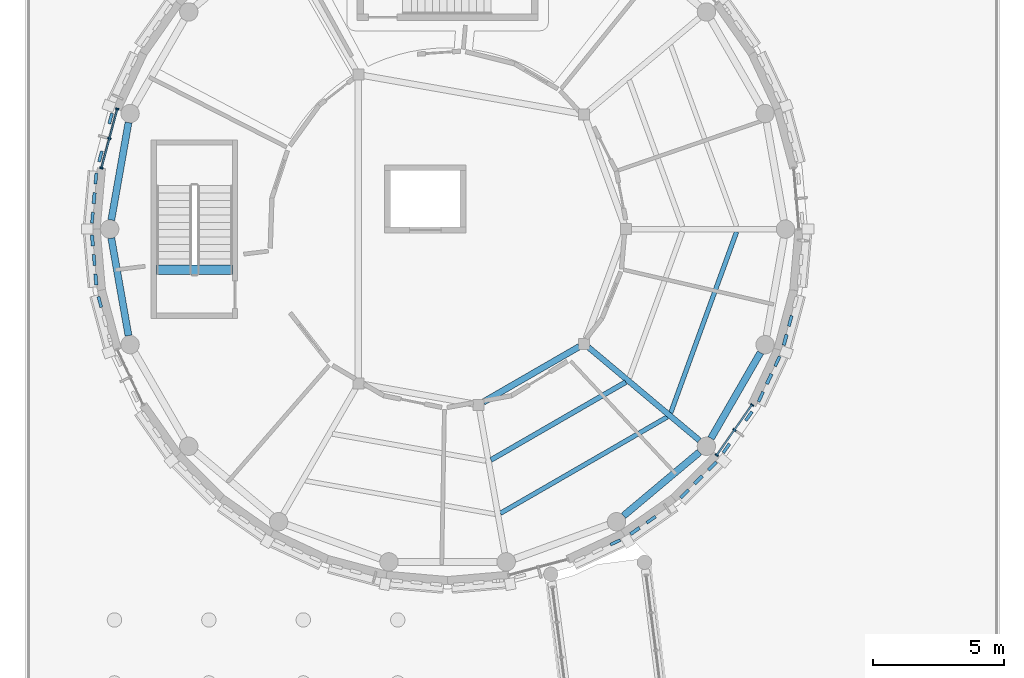
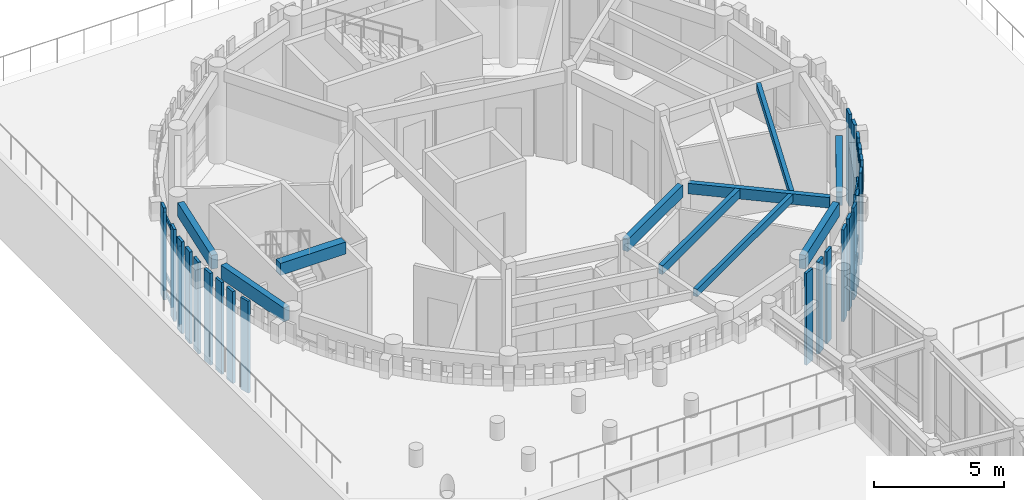
# One storey, part 21 of 94: 34 members, 10 beams, 2 elements without a shape of their own.
"""IFC4 building model written with IfcOpenShell, lengths in metres."""

from ifc_helpers import new_model, si_unit, direction, frame, origin, origin_2d, place, context, subcontext, project, spatial, rectangle, extrude, material, layer, layer_set, material_profile, profile_set, type_object, element, aggregate, save


model = new_model("IFC4")

# Units and contexts
model_context = context("Model", 3, precision=1e-05, world=origin(), true_north=direction((0.0, 1.0)))
body_context = subcontext(model_context, "Body", "Model", "MODEL_VIEW")
ifc_project = project(units=[si_unit("LENGTHUNIT", "METRE"), si_unit("AREAUNIT", "SQUARE_METRE"), si_unit("VOLUMEUNIT", "CUBIC_METRE"), si_unit("PLANEANGLEUNIT", "RADIAN"), si_unit("MASSUNIT", "GRAM", prefix="KILO")], contexts=[model_context])

# Site, building, storey
site_placement = place(None, origin())
site = spatial("IfcSite", under=ifc_project, at=site_placement, CompositionType="ELEMENT")
building_placement = place(site_placement, origin())
building = spatial("IfcBuilding", under=site, at=building_placement, Name="Aldenvaro Health Centre", CompositionType="ELEMENT")
storey_placement = place(building_placement, origin())
storey = spatial("IfcBuildingStorey", under=building, at=storey_placement, Name="L00", CompositionType="ELEMENT", Elevation=0.0)

# Beams
ifc_material_1 = material(Name="Glulam GL28h", Category="wood")
ifc_material_profile_1 = material_profile(ifc_material_1, rectangle(XDim=0.175048828125, YDim=0.35009765625, at=origin_2d()), Name="GL 175x350", Category="wood")
ifc_profile_set_1 = profile_set([ifc_material_profile_1], Name="Glulam GL28h")
beam_type_1 = type_object("IfcBeamType", Name="BM-GL-350", PredefinedType="JOIST", material=ifc_profile_set_1)
beam_1_placement = place(storey_placement, frame((20.512939453125, 88.666015625, 4.1298828125), z_axis=(0.866036760986, 0.499980328234, 0.0), x_axis=(-0.499980328234, 0.866036760986, 0.0)))
element("IfcBeam", 1, at=beam_1_placement, inside=storey, type_object=beam_type_1, Name="D4 L00 secondary joist 05.2", PredefinedType="JOIST", context=body_context, shape_type="SweptSolid", body=[
    extrude(rectangle(XDim=0.175048828125, YDim=0.35009765625, at=origin_2d()), origin(), (0.0, 0.0, 1.0), 7.348388671875),
])
beam_2_placement = place(storey_placement, frame((27.006103515625, 92.493896484375, 4.1298828125), z_axis=(0.341985813082, 0.939705115263, 0.0), x_axis=(-0.939705115263, 0.341985813082, 0.0)))
element("IfcBeam", 2, at=beam_2_placement, inside=storey, type_object=beam_type_1, Name="D4 L00 secondary joist 06.2", PredefinedType="JOIST", context=body_context, shape_type="SweptSolid", body=[
    extrude(rectangle(XDim=0.175048828125, YDim=0.35009765625, at=origin_2d()), origin(), (0.0, 0.0, 1.0), 7.34814453125),
])
ifc_material_profile_2 = material_profile(ifc_material_1, rectangle(XDim=0.18994140625, YDim=0.41796875, at=origin_2d()), Name="GL 190x418", Category="wood")
ifc_profile_set_2 = profile_set([ifc_material_profile_2], Name="Glulam GL28h")
beam_type_2 = type_object("IfcBeamType", Name="BM-GL-418", PredefinedType="JOIST", material=ifc_profile_set_2)
beam_3_placement = place(storey_placement, frame((20.154052734375, 90.700927734375, 4.095947265625), z_axis=(0.866019093774, 0.5000109291, 0.0), x_axis=(-0.5000109291, 0.866019093774, 0.0)))
element("IfcBeam", 3, at=beam_3_placement, inside=storey, type_object=beam_type_2, Name="D4 L00 secondary joist 05.1", PredefinedType="JOIST", context=body_context, shape_type="SweptSolid", body=[
    extrude(rectangle(XDim=0.18994140625, YDim=0.41796875, at=origin_2d()), origin(), (0.0, 0.0, 1.0), 5.933837890625),
])
ifc_material_profile_3 = material_profile(ifc_material_1, rectangle(XDim=0.215087890625, YDim=0.493896484375, at=origin_2d()), Name="GL 215x494", Category="wood")
ifc_profile_set_3 = profile_set([ifc_material_profile_3], Name="Glulam GL28h")
beam_type_3 = type_object("IfcBeamType", Name="BM-GL-494", PredefinedType="BEAM", material=ifc_profile_set_3)
beam_4_placement = place(storey_placement, frame((23.8701171875, 94.993896484375, 4.05810546875), z_axis=(0.766107242382, -0.642712761014, 0.0), x_axis=(0.642712761014, 0.766107242382, 0.0)))
element("IfcBeam", 4, at=beam_4_placement, inside=storey, type_object=beam_type_3, Name="D4 L00 radial beam 06", PredefinedType="BEAM", context=body_context, shape_type="SweptSolid", body=[
    extrude(rectangle(XDim=0.215087890625, YDim=0.493896484375, at=origin_2d()), origin(), (0.0, 0.0, 1.0), 5.52001953125),
])
ifc_material_profile_4 = material_profile(ifc_material_1, rectangle(XDim=0.239990234375, YDim=0.570068359375, at=origin_2d()), Name="GL 240x570", Category="wood")
ifc_profile_set_4 = profile_set([ifc_material_profile_4], Name="Glulam GL28h")
beam_type_4 = type_object("IfcBeamType", Name="BM-GL-570", PredefinedType="BEAM", material=ifc_profile_set_4)
beam_5_placement = place(storey_placement, frame((19.863037109375, 92.907958984375, 4.02001953125), z_axis=(0.865972251501, 0.500092051157, 0.0), x_axis=(-0.500092051157, 0.865972251501, 0.0)))
element("IfcBeam", 5, at=beam_5_placement, inside=storey, type_object=beam_type_4, Name="D4 L00 inner ring beam 05", PredefinedType="BEAM", context=body_context, shape_type="SweptSolid", body=[
    extrude(rectangle(XDim=0.239990234375, YDim=0.570068359375, at=origin_2d()), origin(), (0.0, 0.0, 1.0), 4.231201171875),
])
ifc_material_profile_5 = material_profile(ifc_material_1, rectangle(XDim=0.264892578125, YDim=0.64599609375, at=origin_2d()), Name="GL 265x646", Category="wood")
ifc_profile_set_5 = profile_set([ifc_material_profile_5], Name="Glulam GL28h")
beam_type_5 = type_object("IfcBeamType", Name="BM-GL-646", PredefinedType="SPANDREL", material=ifc_profile_set_5)
for number, where, z_axis, x_axis, name in (
    (6, (6.3359375, 103.56005859375, 3.98193359375), (-0.173637653927, -0.984809608574, 0.0), (0.984809608574, -0.173637653927, 0.0), "D4 L00 perimeter spandrel 09"),
    (7, (5.680908203125, 99.155029296875, 3.98193359375), (0.173637653927, -0.984809608574, 0.0), (0.984809608574, 0.173637653927, 0.0), "D4 L00 perimeter spandrel 10"),
):
    element("IfcBeam", number, at=place(storey_placement, frame(where, z_axis=z_axis, x_axis=x_axis)), inside=storey, type_object=beam_type_5, Name=name, PredefinedType="SPANDREL", context=body_context, shape_type="SweptSolid", body=[
        extrude(rectangle(XDim=0.264892578125, YDim=0.64599609375, at=origin_2d()), origin(), (0.0, 0.0, 1.0), 3.7724609375),
    ])
beam_6_placement = place(storey_placement, frame((25.2080078125, 88.571044921875, 3.98193359375), z_axis=(0.766159686965, 0.64265024241, 0.0), x_axis=(-0.64265024241, 0.766159686965, 0.0)))
element("IfcBeam", 8, at=beam_6_placement, inside=storey, type_object=beam_type_5, Name="D4 L00 perimeter spandrel 16", PredefinedType="SPANDREL", context=body_context, shape_type="SweptSolid", body=[
    extrude(rectangle(XDim=0.264892578125, YDim=0.64599609375, at=origin_2d()), origin(), (0.0, 0.0, 1.0), 3.7734375),
])
beam_7_placement = place(storey_placement, frame((28.5419921875, 91.52392578125, 3.98193359375), z_axis=(0.499834477554, 0.866120947125, 0.0), x_axis=(-0.866120947125, 0.499834477554, 0.0)))
element("IfcBeam", 9, at=beam_7_placement, inside=storey, type_object=beam_type_5, Name="D4 L00 perimeter spandrel 17", PredefinedType="SPANDREL", context=body_context, shape_type="SweptSolid", body=[
    extrude(rectangle(XDim=0.264892578125, YDim=0.64599609375, at=origin_2d()), origin(), (0.0, 0.0, 1.0), 3.773193359375),
])
ifc_material_2 = material(Name="Concrete f'c 40 MPa", Category="concrete")
ifc_material_profile_6 = material_profile(ifc_material_2, rectangle(XDim=0.35009765625, YDim=0.56005859375, at=origin_2d()), Name="RC 350x560", Category="concrete")
ifc_profile_set_6 = profile_set([ifc_material_profile_6], Name="Concrete f'c 40 MPa")
beam_type_6 = type_object("IfcBeamType", Name="BM-RC-560", PredefinedType="JOIST", material=ifc_profile_set_6)
beam_8_placement = place(storey_placement, frame((10.300048828125, 97.949951171875, 4.27001953125), z_axis=(-1.0, 0.0, 0.0), x_axis=(0.0, -1.0, 0.0)))
element("IfcBeam", 10, at=beam_8_placement, inside=storey, type_object=beam_type_6, Name="ST-08 L01 stair landing trimmer beam", PredefinedType="JOIST", context=body_context, shape_type="SweptSolid", body=[
    extrude(rectangle(XDim=0.35009765625, YDim=0.56005859375, at=origin_2d()), origin(), (0.0, 0.0, 1.0), 2.900146484375),
])

# Curtain wall, members
ifc_material_3 = material(Name="Anodised Aluminium 6063-T6", Category="aluminium")
ifc_layer = layer(ifc_material_3, 0.195068359375, Name="Anodised Aluminium 6063-T6", Category="aluminium")
ifc_layer_set = layer_set([ifc_layer], Name="Anodised Aluminium 6063-T6")
curtain_wall_type = type_object("IfcCurtainWallType", Name="CW-CLN-02", PredefinedType="NOTDEFINED", material=ifc_layer_set)
curtain_wall_1_placement = place(storey_placement, origin())
curtain_wall_1 = element("IfcCurtainWall", 11, at=curtain_wall_1_placement, inside=storey, type_object=curtain_wall_type, Name="D4 L00 curtain wall bay 04", PredefinedType="NOTDEFINED")
ifc_material_profile_7 = material_profile(ifc_material_3, rectangle(XDim=0.06005859375, YDim=0.135009765625, at=origin_2d()), Name="ALU 60x135", Category="aluminium")
ifc_profile_set_7 = profile_set([ifc_material_profile_7], Name="Anodised Aluminium 6063-T6")
member_type_1 = type_object("IfcMemberType", Name="CWM-150", PredefinedType="MULLION", material=ifc_profile_set_7)
member_1_placement = place(storey_placement, frame((30.10498046875, 92.800048828125, 0.0), z_axis=(0.0, 0.0, 1.0), x_axis=(-0.573720929857, -0.819050849853, 0.0)))
member_1 = element("IfcMember", 12, at=member_1_placement, type_object=member_type_1, Name="D4 L00 curtain wall bay 04 mullion 1", PredefinedType="MULLION", context=body_context, shape_type="SweptSolid", body=[
    extrude(rectangle(XDim=0.06005859375, YDim=0.135009765625, at=origin_2d()), origin(), (0.0, 0.0, 1.0), 3.658935546875),
])
member_2_placement = place(storey_placement, frame((29.43505859375, 91.843994140625, 0.0), z_axis=(0.0, 0.0, 1.0), x_axis=(-0.573720929857, -0.819050849853, 0.0)))
member_2 = element("IfcMember", 13, at=member_2_placement, type_object=member_type_1, Name="D4 L00 curtain wall bay 04 mullion 2", PredefinedType="MULLION", context=body_context, shape_type="SweptSolid", body=[
    extrude(rectangle(XDim=0.06005859375, YDim=0.135009765625, at=origin_2d()), origin(), (0.0, 0.0, 1.0), 3.658935546875),
])
member_3_placement = place(storey_placement, frame((28.764892578125, 90.886962890625, 0.0), z_axis=(0.0, 0.0, 1.0), x_axis=(-0.573720929857, -0.819050849853, 0.0)))
member_3 = element("IfcMember", 14, at=member_3_placement, type_object=member_type_1, Name="D4 L00 curtain wall bay 04 mullion 3", PredefinedType="MULLION", context=body_context, shape_type="SweptSolid", body=[
    extrude(rectangle(XDim=0.06005859375, YDim=0.135009765625, at=origin_2d()), origin(), (0.0, 0.0, 1.0), 3.658935546875),
])

curtain_wall_2_placement = place(storey_placement, origin())
curtain_wall_2 = element("IfcCurtainWall", 15, at=curtain_wall_2_placement, inside=storey, type_object=curtain_wall_type, Name="D4 L00 curtain wall bay 20", PredefinedType="NOTDEFINED")
member_4_placement = place(storey_placement, frame((5.303955078125, 101.826904296875, 0.0), z_axis=(0.0, 0.0, 1.0), x_axis=(0.258621935517, 0.965978620089, 0.0)))
member_4 = element("IfcMember", 16, at=member_4_placement, type_object=member_type_1, Name="D4 L00 curtain wall bay 20 mullion 1", PredefinedType="MULLION", context=body_context, shape_type="SweptSolid", body=[
    extrude(rectangle(XDim=0.06005859375, YDim=0.135009765625, at=origin_2d()), origin(), (0.0, 0.0, 1.0), 3.658935546875),
])
member_5_placement = place(storey_placement, frame((5.60595703125, 102.955078125, 0.0), z_axis=(0.0, 0.0, 1.0), x_axis=(0.258621935517, 0.965978620089, 0.0)))
member_5 = element("IfcMember", 17, at=member_5_placement, type_object=member_type_1, Name="D4 L00 curtain wall bay 20 mullion 2", PredefinedType="MULLION", context=body_context, shape_type="SweptSolid", body=[
    extrude(rectangle(XDim=0.06005859375, YDim=0.135009765625, at=origin_2d()), origin(), (0.0, 0.0, 1.0), 3.658935546875),
])
member_6_placement = place(storey_placement, frame((5.907958984375, 104.0830078125, 0.0), z_axis=(0.0, 0.0, 1.0), x_axis=(0.258621935517, 0.965978620089, 0.0)))
member_6 = element("IfcMember", 18, at=member_6_placement, type_object=member_type_1, Name="D4 L00 curtain wall bay 20 mullion 3", PredefinedType="MULLION", context=body_context, shape_type="SweptSolid", body=[
    extrude(rectangle(XDim=0.06005859375, YDim=0.135009765625, at=origin_2d()), origin(), (0.0, 0.0, 1.0), 3.658935546875),
])

# Member
ifc_material_profile_8 = material_profile(ifc_material_3, rectangle(XDim=0.06494140625, YDim=0.179931640625, at=origin_2d()), Name="ALU 65x180", Category="aluminium")
ifc_profile_set_8 = profile_set([ifc_material_profile_8], Name="Anodised Aluminium 6063-T6")
member_type_2 = type_object("IfcMemberType", Name="CWT-150", PredefinedType="USERDEFINED", material=ifc_profile_set_8)
member_7_placement = place(storey_placement, frame((30.10498046875, 92.800048828125, 0.06005859375), z_axis=(-0.573728883722, -0.819045278347, 0.0), x_axis=(0.819045278347, -0.573728883722, 0.0)))
member_7 = element("IfcMember", 19, at=member_7_placement, type_object=member_type_2, Name="D4 L00 curtain wall bay 04 transom 1", ObjectType="TRANSOM", PredefinedType="USERDEFINED", context=body_context, shape_type="SweptSolid", body=[
    extrude(rectangle(XDim=0.06494140625, YDim=0.179931640625, at=origin_2d()), origin(), (0.0, 0.0, 1.0), 2.335693359375),
])

member_8_placement = place(storey_placement, frame((30.10498046875, 92.800048828125, 0.89990234375), z_axis=(-0.573728883722, -0.819045278347, 0.0), x_axis=(0.819045278347, -0.573728883722, 0.0)))
member_8 = element("IfcMember", 20, at=member_8_placement, type_object=member_type_2, Name="D4 L00 curtain wall bay 04 transom 2", ObjectType="TRANSOM", PredefinedType="USERDEFINED", context=body_context, shape_type="SweptSolid", body=[
    extrude(rectangle(XDim=0.06494140625, YDim=0.179931640625, at=origin_2d()), origin(), (0.0, 0.0, 1.0), 2.335693359375),
])

member_9_placement = place(storey_placement, frame((30.10498046875, 92.800048828125, 3.59912109375), z_axis=(-0.573728883722, -0.819045278347, 0.0), x_axis=(0.819045278347, -0.573728883722, 0.0)))
member_9 = element("IfcMember", 21, at=member_9_placement, type_object=member_type_2, Name="D4 L00 curtain wall bay 04 transom 3", ObjectType="TRANSOM", PredefinedType="USERDEFINED", context=body_context, shape_type="SweptSolid", body=[
    extrude(rectangle(XDim=0.06494140625, YDim=0.179931640625, at=origin_2d()), origin(), (0.0, 0.0, 1.0), 2.335693359375),
])

aggregate(curtain_wall_1, [member_1, member_2, member_3, member_7, member_8, member_9])

member_10_placement = place(storey_placement, frame((5.303955078125, 101.826904296875, 0.06005859375), z_axis=(0.258612423585, 0.965981166673, 0.0), x_axis=(-0.965981166673, 0.258612423585, 0.0)))
member_10 = element("IfcMember", 22, at=member_10_placement, type_object=member_type_2, Name="D4 L00 curtain wall bay 20 transom 1", ObjectType="TRANSOM", PredefinedType="USERDEFINED", context=body_context, shape_type="SweptSolid", body=[
    extrude(rectangle(XDim=0.06494140625, YDim=0.179931640625, at=origin_2d()), origin(), (0.0, 0.0, 1.0), 2.33544921875),
])

member_11_placement = place(storey_placement, frame((5.303955078125, 101.826904296875, 0.89990234375), z_axis=(0.258612423585, 0.965981166673, 0.0), x_axis=(-0.965981166673, 0.258612423585, 0.0)))
member_11 = element("IfcMember", 23, at=member_11_placement, type_object=member_type_2, Name="D4 L00 curtain wall bay 20 transom 2", ObjectType="TRANSOM", PredefinedType="USERDEFINED", context=body_context, shape_type="SweptSolid", body=[
    extrude(rectangle(XDim=0.06494140625, YDim=0.179931640625, at=origin_2d()), origin(), (0.0, 0.0, 1.0), 2.33544921875),
])

member_12_placement = place(storey_placement, frame((5.303955078125, 101.826904296875, 3.59912109375), z_axis=(0.258612423585, 0.965981166673, 0.0), x_axis=(-0.965981166673, 0.258612423585, 0.0)))
member_12 = element("IfcMember", 24, at=member_12_placement, type_object=member_type_2, Name="D4 L00 curtain wall bay 20 transom 3", ObjectType="TRANSOM", PredefinedType="USERDEFINED", context=body_context, shape_type="SweptSolid", body=[
    extrude(rectangle(XDim=0.06494140625, YDim=0.179931640625, at=origin_2d()), origin(), (0.0, 0.0, 1.0), 2.33544921875),
])

aggregate(curtain_wall_2, [member_4, member_5, member_6, member_10, member_11, member_12])

# Members
ifc_material_profile_9 = material_profile(ifc_material_1, rectangle(XDim=0.114990234375, YDim=0.419921875, at=origin_2d()), Name="GL 115x420", Category="wood")
ifc_profile_set_9 = profile_set([ifc_material_profile_9], Name="Glulam GL28h")
member_type_3 = type_object("IfcMemberType", Name="MEM-SLT-420A", PredefinedType="POST", material=ifc_profile_set_9)
for number, where, z_axis, x_axis, name in (
    (25, (31.56298828125, 96.0, 0.0), (0.0, 0.0, 1.0), (0.965978620089, -0.258621935517, 0.0), "D4 L00 vertical timber slat 2.2"),
    (26, (31.072998046875, 94.4619140625, 0.0), (0.0, 0.0, 1.0), (0.90633620484, -0.422557314215, 0.0), "D4 L00 vertical timber slat 3.1"),
    (27, (30.44091796875, 93.10693359375, 0.0), (0.0, 0.0, 1.0), (0.90633620484, -0.422557314215, 0.0), "D4 L00 vertical timber slat 3.3"),
    (28, (29.987060546875, 92.3701171875, 0.0), (0.0, 0.0, 1.0), (0.819050849853, -0.573720929857, 0.0), "D4 L00 curtain mullion timber slat 4"),
    (29, (29.12890625, 91.14501953125, 0.0), (0.0, 0.0, 1.0), (0.819050849853, -0.573720929857, 0.0), "D4 L00 curtain mullion timber slat 4"),
    (30, (28.592041015625, 90.466064453125, 0.0), (0.0, 0.0, 1.0), (0.707106781187, -0.707106781187, 0.0), "D4 L00 vertical timber slat 5.1"),
    (31, (27.533935546875, 89.407958984375, 0.0), (0.0, 0.0, 1.0), (0.707106781187, -0.707106781187, 0.0), "D4 L00 vertical timber slat 5.3"),
    (32, (26.257080078125, 88.422119140625, 0.0), (0.0, 0.0, 1.0), (0.573720929857, -0.819050849853, 0.0), "D4 L00 vertical timber slat 6.2"),
    (33, (24.89306640625, 87.55908203125, 0.0), (0.0, 0.0, 1.0), (0.422557314215, -0.90633620484, 0.0), "D4 L00 vertical timber slat 7.1"),
    (34, (5.243896484375, 96.721923828125, 0.0), (0.0, 0.0, 1.0), (-0.965978620089, -0.258621935517, 0.0), "D4 L00 vertical timber slat 17.3"),
    (35, (5.028076171875, 98.321044921875, 0.0), (0.0, 0.0, 1.0), (-0.996179299052, -0.087331575855, 0.0), "D4 L00 vertical timber slat 18.2"),
    (36, (4.9619140625, 99.93408203125, 0.0), (0.0, 0.0, 1.0), (-0.996179299052, 0.087331575855, 0.0), "D4 L00 vertical timber slat 19.1"),
    (37, (5.093017578125, 101.424072265625, 0.0), (0.0, 0.0, 1.0), (-0.996179299052, 0.087331575855, 0.0), "D4 L00 vertical timber slat 19.3"),
    (38, (5.26806640625, 102.27197265625, 0.0), (0.0, 0.0, 1.0), (-0.965978620089, 0.258621935517, 0.0), "D4 L00 curtain mullion timber slat 20"),
    (39, (5.654052734375, 103.716064453125, 0.0), (0.0, 0.0, 1.0), (-0.965978620089, 0.258621935517, 0.0), "D4 L00 curtain mullion timber slat 20"),
):
    element("IfcMember", number, at=place(storey_placement, frame(where, z_axis=z_axis, x_axis=x_axis)), inside=storey, type_object=member_type_3, Name=name, PredefinedType="POST", context=body_context, shape_type="SweptSolid", body=[
        extrude(rectangle(XDim=0.114990234375, YDim=0.419921875, at=origin_2d()), origin(), (0.0, 0.0, 1.0), 4.304931640625),
    ])
ifc_material_profile_10 = material_profile(ifc_material_1, rectangle(XDim=0.1298828125, YDim=0.419921875, at=origin_2d()), Name="GL 130x420", Category="wood")
ifc_profile_set_10 = profile_set([ifc_material_profile_10], Name="Glulam GL28h")
member_type_4 = type_object("IfcMemberType", Name="MEM-SLT-420B", PredefinedType="POST", material=ifc_profile_set_10)
for number, where, z_axis, x_axis, name in (
    (40, (31.3701171875, 95.277099609375, 0.0), (0.0, 0.0, 1.0), (0.965978620089, -0.258621935517, 0.0), "D4 L00 vertical timber slat 2.3"),
    (41, (30.757080078125, 93.784912109375, 0.0), (0.0, 0.0, 1.0), (0.90633620484, -0.422557314215, 0.0), "D4 L00 vertical timber slat 3.2"),
    (42, (28.06298828125, 89.93701171875, 0.0), (0.0, 0.0, 1.0), (0.707106781187, -0.707106781187, 0.0), "D4 L00 vertical timber slat 5.2"),
    (43, (25.64404296875, 87.992919921875, 0.0), (0.0, 0.0, 1.0), (0.573720929857, -0.819050849853, 0.0), "D4 L00 vertical timber slat 6.3"),
    (44, (5.093017578125, 97.575927734375, 0.0), (0.0, 0.0, 1.0), (-0.996179299052, -0.087331575855, 0.0), "D4 L00 vertical timber slat 18.1"),
    (45, (4.9619140625, 99.06591796875, 0.0), (0.0, 0.0, 1.0), (-0.996179299052, -0.087331575855, 0.0), "D4 L00 vertical timber slat 18.3"),
    (46, (5.028076171875, 100.678955078125, 0.0), (0.0, 0.0, 1.0), (-0.996179299052, 0.087331575855, 0.0), "D4 L00 vertical timber slat 19.2"),
):
    element("IfcMember", number, at=place(storey_placement, frame(where, z_axis=z_axis, x_axis=x_axis)), inside=storey, type_object=member_type_4, Name=name, PredefinedType="POST", context=body_context, shape_type="SweptSolid", body=[
        extrude(rectangle(XDim=0.1298828125, YDim=0.419921875, at=origin_2d()), origin(), (0.0, 0.0, 1.0), 4.304931640625),
    ])

save(model, "model.ifc")
